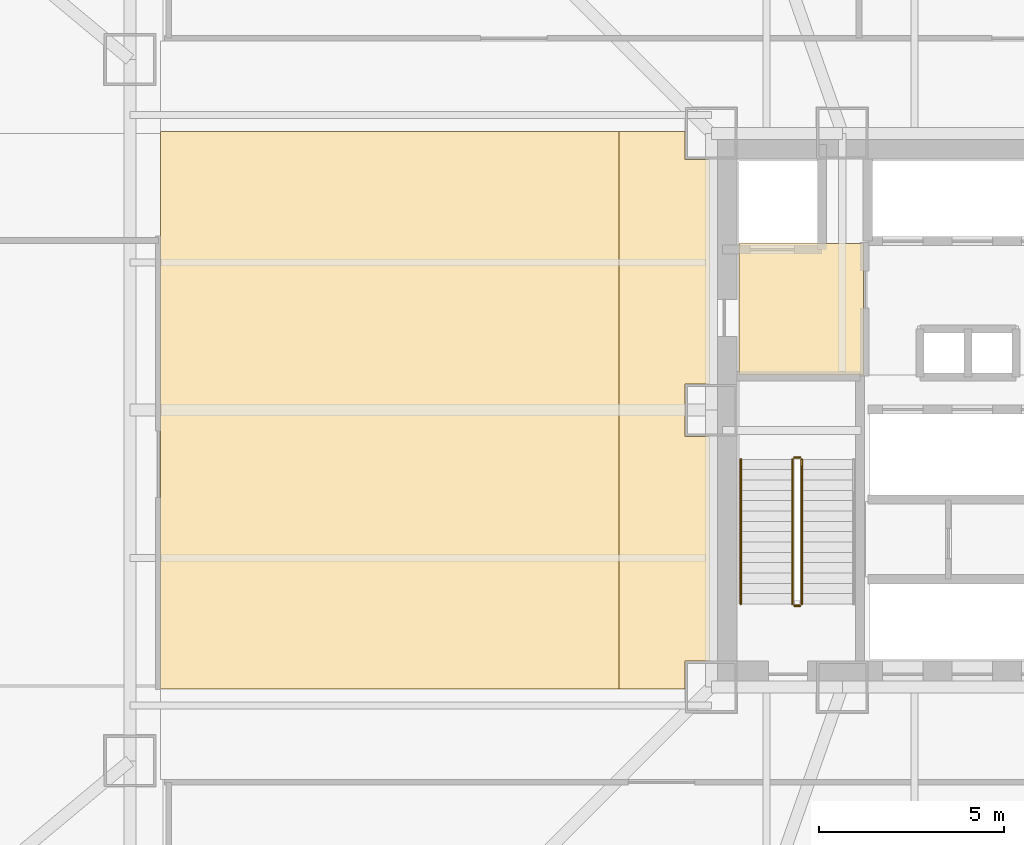
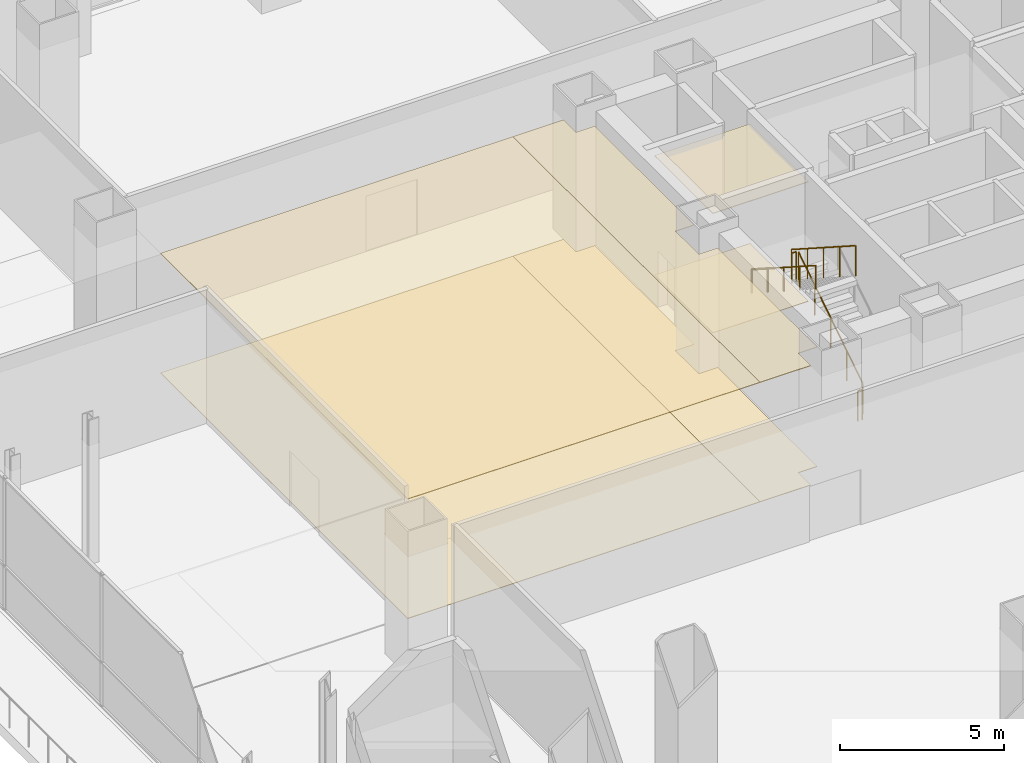
# One storey, part 27 of 36: 6 coverings, 5 railings.
"""IFC4 building model written with IfcOpenShell, lengths in metres."""

import ifcopenshell
import ifcopenshell.guid

model = None  # the IFC model being written
_history = None  # IfcOwnerHistory: only IFC2X3 demands one
_inside = {}  # id of a spatial element -> (the spatial element, [elements in it])
_under = {}  # id of a project, library or spatial element -> (it, [spatial elements below it])
_declared = {}  # id of a project -> (the project, [libraries it declares])
_typed = {}  # id of a type object -> (the type object, [elements of that type])
_made_of = {}  # id of a material, layer set ... -> (it, [elements and type objects made of it])


def new_model(schema):
    """Start an empty IFC model of exactly this schema.

    Asked for "IFC4X3", IfcOpenShell would pick the latest addendum, in which some entities
    have other attributes; the version numbers below select the first issue.
    IFC2X3 requires an IfcOwnerHistory on every rooted entity: one is made here for all.
    """
    global model, _history
    if schema == "IFC4X3":
        model = ifcopenshell.file(schema_version=(4, 3, 0, 0))
    else:
        model = ifcopenshell.file(schema=schema)
    _inside.clear()
    _under.clear()
    _declared.clear()
    _typed.clear()
    _made_of.clear()
    _history = None
    if model.schema == "IFC2X3":
        org = make("IfcOrganization", Name="unknown")
        user = make(
            "IfcPersonAndOrganization",
            ThePerson=make("IfcPerson", FamilyName="unknown"),
            TheOrganization=org,
        )
        app = make(
            "IfcApplication",
            ApplicationDeveloper=org,
            Version="unknown",
            ApplicationFullName="unknown",
            ApplicationIdentifier="unknown",
        )
        _history = make(
            "IfcOwnerHistory",
            OwningUser=user,
            OwningApplication=app,
            ChangeAction="ADDED",
            CreationDate=0,
        )
    return model


def make(cls, **values):
    """One entity of the class cls with the attributes given. An attribute that is None is left unset."""
    return model.create_entity(
        cls, **{name: value for name, value in values.items() if value is not None}
    )


def rooted(cls, **values):
    """An entity with a GlobalId (a new one), such as an element, a storey or a relation."""
    return make(cls, GlobalId=ifcopenshell.guid.new(), OwnerHistory=_history, **values)


def si_unit(unit_type, name, prefix=None):
    """IfcSIUnit, for example si_unit("LENGTHUNIT", "METRE", prefix="MILLI")."""
    return make("IfcSIUnit", UnitType=unit_type, Prefix=prefix, Name=name)


def assignment(units):
    """IfcUnitAssignment: the units of a project."""
    return None if units is None else make("IfcUnitAssignment", Units=units)


def point(xyz):
    """IfcCartesianPoint."""
    return None if xyz is None else make("IfcCartesianPoint", Coordinates=xyz)


def direction(xyz):
    """IfcDirection."""
    return None if xyz is None else make("IfcDirection", DirectionRatios=xyz)


def frame(location, z_axis=None, x_axis=None):
    """IfcAxis2Placement3D, a coordinate frame: its origin and axes. An axis left out is left unset."""
    return make(
        "IfcAxis2Placement3D",
        Location=point(location),
        Axis=direction(z_axis),
        RefDirection=direction(x_axis),
    )


def frame_2d(location, x_axis=None):
    """IfcAxis2Placement2D, a coordinate frame in the plane: its origin and x axis."""
    return make(
        "IfcAxis2Placement2D", Location=point(location), RefDirection=direction(x_axis)
    )


def origin():
    """The frame at (0, 0, 0) with its axes left unset."""
    return frame((0.0, 0.0, 0.0))


def origin_2d():
    """The frame at (0, 0) in the plane with its x axis left unset."""
    return frame_2d((0.0, 0.0))


def place(relative_to, where):
    """IfcLocalPlacement: puts the frame where relative to a parent placement (None: the world)."""
    return make(
        "IfcLocalPlacement", PlacementRelTo=relative_to, RelativePlacement=where
    )


def context(
    kind, dimensions, precision=None, world=None, true_north=None, identifier=None
):
    """IfcGeometricRepresentationContext, for example the 3D "Model" context."""
    return make(
        "IfcGeometricRepresentationContext",
        ContextIdentifier=identifier,
        ContextType=kind,
        CoordinateSpaceDimension=dimensions,
        Precision=precision,
        WorldCoordinateSystem=world,
        TrueNorth=true_north,
    )


def subcontext(parent, identifier, kind, view, scale=None):
    """IfcGeometricRepresentationSubContext, for example "Body" below "Model"."""
    return make(
        "IfcGeometricRepresentationSubContext",
        ContextIdentifier=identifier,
        ContextType=kind,
        ParentContext=parent,
        TargetScale=scale,
        TargetView=view,
    )


def project(units=None, contexts=None):
    """IfcProject with its units and contexts."""
    return rooted(
        "IfcProject",
        Name="project",
        RepresentationContexts=contexts,
        UnitsInContext=assignment(units),
    )


def spatial(cls, under=None, at=None, **own):
    """A site, building, storey or space (cls), placed at a placement, below another one or the project."""
    s = rooted(cls, ObjectPlacement=at, **own)
    if under is not None:
        _under.setdefault(under.id(), (under, []))[1].append(s)
    return s


def polyline(points):
    """IfcPolyline through the points."""
    return make("IfcPolyline", Points=[point(p) for p in points])


def profile(cls, at=None, kind="AREA", **sizes):
    """A parametric profile (cls). Its sizes go by their IFC names, for example OverallWidth=200.0."""
    return make(cls, ProfileType=kind, Position=at, **sizes)


def circle(**sizes):
    """IfcCircleProfileDef."""
    return profile("IfcCircleProfileDef", **sizes)


def outline(outer, holes=None, kind="AREA"):
    """IfcArbitraryClosedProfileDef: a profile drawn as a closed curve; with holes, ...WithVoids."""
    if holes is None:
        return make("IfcArbitraryClosedProfileDef", ProfileType=kind, OuterCurve=outer)
    return make(
        "IfcArbitraryProfileDefWithVoids",
        ProfileType=kind,
        OuterCurve=outer,
        InnerCurves=holes,
    )


def extrude(swept, where, along, depth):
    """IfcExtrudedAreaSolid: the profile swept, set in the frame where, extruded along a direction by depth."""
    return make(
        "IfcExtrudedAreaSolid",
        SweptArea=swept,
        Position=where,
        ExtrudedDirection=direction(along),
        Depth=depth,
    )


def shape(context_of_items, identifier, shape_type, items):
    """IfcShapeRepresentation: the items that make up one representation, for example the "Body"."""
    return make(
        "IfcShapeRepresentation",
        ContextOfItems=context_of_items,
        RepresentationIdentifier=identifier,
        RepresentationType=shape_type,
        Items=items,
    )


def material(Name=None, Category=None):
    """IfcMaterial."""
    return make("IfcMaterial", Name=Name, Category=Category)


def layer(
    of_material, thickness, ventilated=None, Name=None, Category=None, Priority=None
):
    """IfcMaterialLayer: one layer of a wall or slab, of a material (None: an air gap)."""
    return make(
        "IfcMaterialLayer",
        Material=of_material,
        LayerThickness=thickness,
        IsVentilated=ventilated,
        Name=Name,
        Category=Category,
        Priority=Priority,
    )


def layer_set(layers, Name=None):
    """IfcMaterialLayerSet."""
    return make("IfcMaterialLayerSet", MaterialLayers=layers, LayerSetName=Name)


def made_of(thing, what):
    """Note that an element or type object is made of a material, layer set ...; save() writes the relation."""
    if what is not None:
        _made_of.setdefault(what.id(), (what, []))[1].append(thing)
    return thing


def type_object(cls, material=None, **own):
    """A type object (cls), such as IfcWallType, which elements share."""
    return made_of(rooted(cls, **own), material)


def element(
    cls,
    number,
    at=None,
    inside=None,
    cuts=None,
    type_object=None,
    material=None,
    context=None,
    identifier="Body",
    shape_type=None,
    held_by="IfcProductDefinitionShape",
    body=None,
    shapes=None,
    **own,
):
    """One element of the class cls, such as IfcWall. Its Tag is "e" and its number.

    at: its placement. inside: the storey or other place that contains it. cuts: it is an
    opening in that element (IfcRelVoidsElement). A single representation is given by context,
    identifier, shape_type and body (its items); several are given by shapes. held_by: the class
    of the entity that holds the representations. save() writes the other relations.
    """
    e = rooted(cls, Tag="e%d" % number, ObjectPlacement=at, **own)
    if body is not None:
        shapes = [shape(context, identifier, shape_type, body)]
    if shapes is not None:
        e.Representation = make(held_by, Representations=shapes)
    if inside is not None:
        _inside.setdefault(inside.id(), (inside, []))[1].append(e)
    if cuts is not None:
        rooted(
            "IfcRelVoidsElement", RelatingBuildingElement=cuts, RelatedOpeningElement=e
        )
    if type_object is not None:
        _typed.setdefault(type_object.id(), (type_object, []))[1].append(e)
    return made_of(e, material)


def aggregate(whole, parts):
    """IfcRelAggregates: a whole, such as a stair, and the parts it consists of."""
    return rooted("IfcRelAggregates", RelatingObject=whole, RelatedObjects=parts)


def save(model, path):
    """Write the relations noted so far, then the file.

    IfcRelAggregates (storeys below a building ...), IfcRelContainedInSpatialStructure (elements
    in a storey), IfcRelDefinesByType, IfcRelAssociatesMaterial and IfcRelDeclares: one each for
    every whole, place, type object, material and project.
    """
    for whole, parts in _under.values():
        aggregate(whole, parts)
    for where, things in _inside.values():
        rooted(
            "IfcRelContainedInSpatialStructure",
            RelatedElements=things,
            RelatingStructure=where,
        )
    for kind, things in _typed.values():
        rooted("IfcRelDefinesByType", RelatedObjects=things, RelatingType=kind)
    for what, things in _made_of.values():
        rooted("IfcRelAssociatesMaterial", RelatedObjects=things, RelatingMaterial=what)
    for by, libraries in _declared.values():
        rooted("IfcRelDeclares", RelatingContext=by, RelatedDefinitions=libraries)
    model.write(path)


model = new_model("IFC4")

# Units and contexts
model_context = context("Model", 3, precision=1e-05, world=origin(), true_north=direction((0.0, 1.0)))
body_context = subcontext(model_context, "Body", "Model", "MODEL_VIEW")
ifc_project = project(units=[si_unit("LENGTHUNIT", "METRE"), si_unit("AREAUNIT", "SQUARE_METRE"), si_unit("VOLUMEUNIT", "CUBIC_METRE"), si_unit("PLANEANGLEUNIT", "RADIAN"), si_unit("MASSUNIT", "GRAM", prefix="KILO")], contexts=[model_context])

# Site, building, storey
site_placement = place(None, origin())
site = spatial("IfcSite", under=ifc_project, at=site_placement, CompositionType="ELEMENT")
building_placement = place(site_placement, origin())
building = spatial("IfcBuilding", under=site, at=building_placement, Name="Trevonay Congress Spire", CompositionType="ELEMENT")
storey_placement = place(building_placement, frame((0.0, 0.0, 16.199951171875)))
storey = spatial("IfcBuildingStorey", under=building, at=storey_placement, Name="L03", CompositionType="ELEMENT", Elevation=16.199951171875)

# Coverings
ifc_material_1 = material(Name="Acoustic Mineral Fibre Board", Category="gypsum")
ifc_layer_1 = layer(ifc_material_1, 0.02490234375, Name="Acoustic Mineral Fibre Board")
ifc_layer_set_1 = layer_set([ifc_layer_1], Name="Acoustic Mineral Fibre Board")
covering_type_1 = type_object("IfcCoveringType", Name="COV-CEIL-ACOUSTIC", PredefinedType="CEILING", material=ifc_layer_set_1)
covering_1_placement = place(storey_placement, frame((0.0, 0.0, 4.449951171875)))
element("IfcCovering", 1, at=covering_1_placement, inside=storey, type_object=covering_type_1, Name="L03 Firefighting Lift Lobby West acoustic suspended ceiling", PredefinedType="CEILING", context=body_context, shape_type="SweptSolid", body=[
    extrude(outline(polyline([(-6.75, 0.9599609375), (-3.3798828125, 0.9599609375), (-3.3798828125, 4.52001953125), (-6.75, 4.52001953125), (-6.75, 0.9599609375)])), origin(), (0.0, 0.0, 1.0), 0.025146484375),
])
covering_2_placement = place(storey_placement, frame((0.0, 0.0, 4.449951171875)))
element("IfcCovering", 2, at=covering_2_placement, inside=storey, type_object=covering_type_1, Name="L03 L03 Grand Concourse West acoustic suspended ceiling", PredefinedType="CEILING", context=body_context, shape_type="SweptSolid", body=[
    extrude(outline(polyline([(-10.0, 7.550048828125), (-8.2099609375, 7.550048828125), (-8.2099609375, 6.7900390625), (-7.550048828125, 6.7900390625), (-7.550048828125, 0.7099609375), (-8.2099609375, 0.7099609375), (-8.2099609375, -0.7099609375), (-7.550048828125, -0.7099609375), (-7.550048828125, -6.7900390625), (-8.2099609375, -6.7900390625), (-8.2099609375, -7.550048828125), (-10.0, -7.550048828125), (-10.0, 7.550048828125)])), origin(), (0.0, 0.0, 1.0), 0.025146484375),
])
covering_3_placement = place(storey_placement, frame((0.0, 0.0, 4.449951171875)))
element("IfcCovering", 3, at=covering_3_placement, inside=storey, type_object=covering_type_1, Name="L03 L03 West Concourse Foyer acoustic suspended ceiling", PredefinedType="CEILING", context=body_context, shape_type="SweptSolid", body=[
    extrude(outline(polyline([(-22.419921875, -7.550048828125), (-22.419921875, 7.550048828125), (-10.0, 7.550048828125), (-10.0, -7.550048828125), (-22.419921875, -7.550048828125)])), origin(), (0.0, 0.0, 1.0), 0.025146484375),
])
ifc_material_2 = material(Name="Polished Granite Floor Tile", Category="masonry")
ifc_layer_2 = layer(ifc_material_2, 0.02001953125, Name="Polished Granite Floor Tile")
ifc_layer_set_2 = layer_set([ifc_layer_2], Name="Polished Granite Floor Tile")
covering_type_2 = type_object("IfcCoveringType", Name="COV-FLOOR-STONE", PredefinedType="FLOORING", material=ifc_layer_set_2)
covering_4_placement = place(storey_placement, origin())
element("IfcCovering", 4, at=covering_4_placement, inside=storey, type_object=covering_type_2, Name="L03 Firefighting Lift Lobby West floor finish", PredefinedType="FLOORING", context=body_context, shape_type="SweptSolid", body=[
    extrude(outline(polyline([(-6.75, 0.9599609375), (-3.3798828125, 0.9599609375), (-3.3798828125, 4.52001953125), (-6.75, 4.52001953125), (-6.75, 0.9599609375)])), origin(), (0.0, 0.0, 1.0), 0.02001953125),
])
covering_5_placement = place(storey_placement, origin())
element("IfcCovering", 5, at=covering_5_placement, inside=storey, type_object=covering_type_2, Name="L03 L03 Grand Concourse West floor finish", PredefinedType="FLOORING", context=body_context, shape_type="SweptSolid", body=[
    extrude(outline(polyline([(-10.0, 7.550048828125), (-8.2099609375, 7.550048828125), (-8.2099609375, 6.7900390625), (-7.550048828125, 6.7900390625), (-7.550048828125, 0.7099609375), (-8.2099609375, 0.7099609375), (-8.2099609375, -0.7099609375), (-7.550048828125, -0.7099609375), (-7.550048828125, -6.7900390625), (-8.2099609375, -6.7900390625), (-8.2099609375, -7.550048828125), (-10.0, -7.550048828125), (-10.0, 7.550048828125)])), origin(), (0.0, 0.0, 1.0), 0.02001953125),
])
covering_6_placement = place(storey_placement, origin())
element("IfcCovering", 6, at=covering_6_placement, inside=storey, type_object=covering_type_2, Name="L03 L03 West Concourse Foyer floor finish", PredefinedType="FLOORING", context=body_context, shape_type="SweptSolid", body=[
    extrude(outline(polyline([(-22.419921875, -7.550048828125), (-22.419921875, 7.550048828125), (-10.0, 7.550048828125), (-10.0, -7.550048828125), (-22.419921875, -7.550048828125)])), origin(), (0.0, 0.0, 1.0), 0.02001953125),
])

# Railings
ifc_material_3 = material(Name="Pale Anodised Aluminium EN AW-6063-T6", Category="aluminium")
railing_type_1 = type_object("IfcRailingType", Name="RAL-STAIR-GUARD-110", PredefinedType="GUARDRAIL", material=ifc_material_3)
railing_1_placement = place(storey_placement, frame((-5.050048828125, -5.25, 0.179931640625)))
element("IfcRailing", 7, at=railing_1_placement, inside=storey, type_object=railing_type_1, Name="L03 ST-1 stair guard 1", PredefinedType="GUARDRAIL", context=body_context, shape_type="SweptSolid", body=[
    extrude(circle(Radius=0.02392578125, at=origin_2d()), frame((0.0, 0.0, 1.1259765625), z_axis=(0.0, 0.841171666519, 0.540768182723), x_axis=(-1.0, 0.0, 0.0)), (0.0, 0.0, 1.0), 4.66015625),
    extrude(circle(Radius=0.02099609375, at=origin_2d()), origin(), (0.0, 0.0, 1.0), 1.101806640625),
    extrude(circle(Radius=0.02099609375, at=origin_2d()), frame((0.0, 0.97998046875, 0.6298828125)), (0.0, 0.0, 1.0), 1.101806640625),
    extrude(circle(Radius=0.02099609375, at=origin_2d()), frame((0.0, 1.9599609375, 1.260009765625)), (0.0, 0.0, 1.0), 1.101806640625),
    extrude(circle(Radius=0.02099609375, at=origin_2d()), frame((0.0, 2.93994140625, 1.89013671875)), (0.0, 0.0, 1.0), 1.101806640625),
    extrude(circle(Radius=0.02099609375, at=origin_2d()), frame((0.0, 3.919921875, 2.52001953125)), (0.0, 0.0, 1.0), 1.101806640625),
])
railing_2_placement = place(storey_placement, frame((-5.10009765625, -1.280029296875, 2.699951171875)))
element("IfcRailing", 8, at=railing_2_placement, inside=storey, type_object=railing_type_1, Name="L03 ST-1 stair guard 2", PredefinedType="GUARDRAIL", context=body_context, shape_type="SweptSolid", body=[
    extrude(circle(Radius=0.02392578125, at=origin_2d()), frame((0.0, 0.0, 1.1259765625), z_axis=(-1.0, 0.0, 0.0), x_axis=(0.0, -1.0, 0.0)), (0.0, 0.0, 1.0), 0.14990234375),
    extrude(circle(Radius=0.02099609375, at=origin_2d()), origin(), (0.0, 0.0, 1.0), 1.101806640625),
    extrude(circle(Radius=0.02099609375, at=origin_2d()), frame((-0.14990234375, 0.0, 0.0)), (0.0, 0.0, 1.0), 1.101806640625),
])
railing_3_placement = place(storey_placement, frame((-5.300048828125, -1.330078125, 2.880126953125)))
element("IfcRailing", 9, at=railing_3_placement, inside=storey, type_object=railing_type_1, Name="L03 ST-1 stair guard 3", PredefinedType="GUARDRAIL", context=body_context, shape_type="SweptSolid", body=[
    extrude(circle(Radius=0.02392578125, at=origin_2d()), frame((0.0, 0.0, 1.1259765625), z_axis=(0.0, -0.841171666519, 0.540768182723), x_axis=(1.0, 0.0, 0.0)), (0.0, 0.0, 1.0), 4.66015625),
    extrude(circle(Radius=0.02099609375, at=origin_2d()), origin(), (0.0, 0.0, 1.0), 1.101806640625),
    extrude(circle(Radius=0.02099609375, at=origin_2d()), frame((0.0, -0.97998046875, 0.6298828125)), (0.0, 0.0, 1.0), 1.101806640625),
    extrude(circle(Radius=0.02099609375, at=origin_2d()), frame((0.0, -1.9599609375, 1.260009765625)), (0.0, 0.0, 1.0), 1.101806640625),
    extrude(circle(Radius=0.02099609375, at=origin_2d()), frame((0.0, -2.93994140625, 1.89013671875)), (0.0, 0.0, 1.0), 1.101806640625),
    extrude(circle(Radius=0.02099609375, at=origin_2d()), frame((0.0, -3.919921875, 2.52001953125)), (0.0, 0.0, 1.0), 1.101806640625),
])
railing_4_placement = place(storey_placement, frame((-5.10009765625, -5.300048828125, 0.0)))
element("IfcRailing", 10, at=railing_4_placement, inside=storey, type_object=railing_type_1, Name="L03 ST-1 stair guard 4", PredefinedType="GUARDRAIL", context=body_context, shape_type="SweptSolid", body=[
    extrude(circle(Radius=0.02392578125, at=origin_2d()), frame((0.0, 0.0, 1.1259765625), z_axis=(-1.0, 0.0, 0.0), x_axis=(0.0, -1.0, 0.0)), (0.0, 0.0, 1.0), 0.14990234375),
    extrude(circle(Radius=0.02099609375, at=origin_2d()), origin(), (0.0, 0.0, 1.0), 1.101806640625),
    extrude(circle(Radius=0.02099609375, at=origin_2d()), frame((-0.14990234375, 0.0, 0.0)), (0.0, 0.0, 1.0), 1.101806640625),
])
railing_type_2 = type_object("IfcRailingType", Name="RAL-STAIR-HANDRAIL", PredefinedType="HANDRAIL", material=ifc_material_3)
railing_5_placement = place(storey_placement, frame((-6.699951171875, -1.330078125, 2.880126953125)))
element("IfcRailing", 11, at=railing_5_placement, inside=storey, type_object=railing_type_2, Name="L03 ST-1 stair handrail 2", PredefinedType="HANDRAIL", context=body_context, shape_type="SweptSolid", body=[
    extrude(circle(Radius=0.02392578125, at=origin_2d()), frame((0.0, 0.0, 0.8759765625), z_axis=(0.0, -0.841171666519, 0.540768182723), x_axis=(1.0, 0.0, 0.0)), (0.0, 0.0, 1.0), 4.66015625),
    extrude(circle(Radius=0.02099609375, at=origin_2d()), origin(), (0.0, 0.0, 1.0), 0.851806640625),
    extrude(circle(Radius=0.02099609375, at=origin_2d()), frame((0.0, -0.97998046875, 0.6298828125)), (0.0, 0.0, 1.0), 0.851806640625),
    extrude(circle(Radius=0.02099609375, at=origin_2d()), frame((0.0, -1.9599609375, 1.260009765625)), (0.0, 0.0, 1.0), 0.851806640625),
    extrude(circle(Radius=0.02099609375, at=origin_2d()), frame((0.0, -2.93994140625, 1.89013671875)), (0.0, 0.0, 1.0), 0.851806640625),
    extrude(circle(Radius=0.02099609375, at=origin_2d()), frame((0.0, -3.919921875, 2.52001953125)), (0.0, 0.0, 1.0), 0.851806640625),
])

save(model, "model.ifc")
